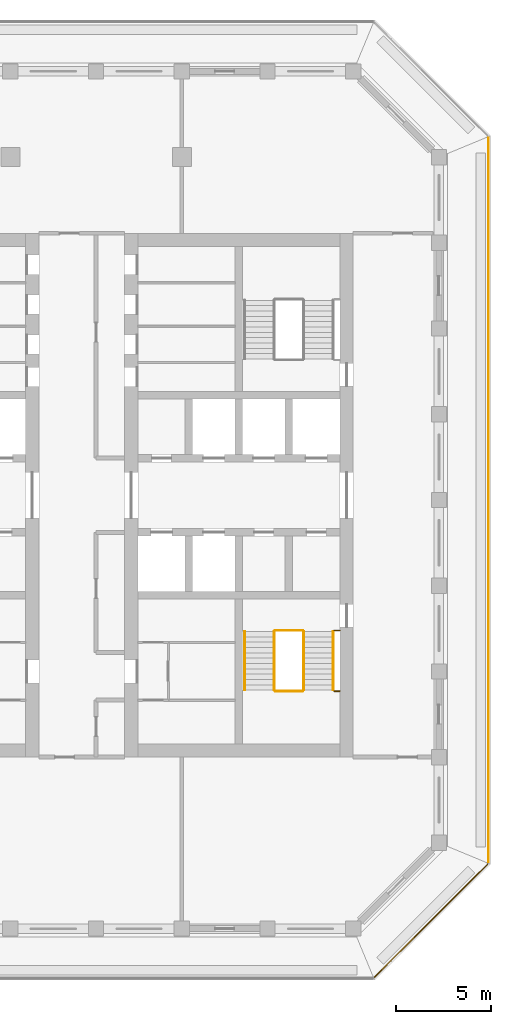
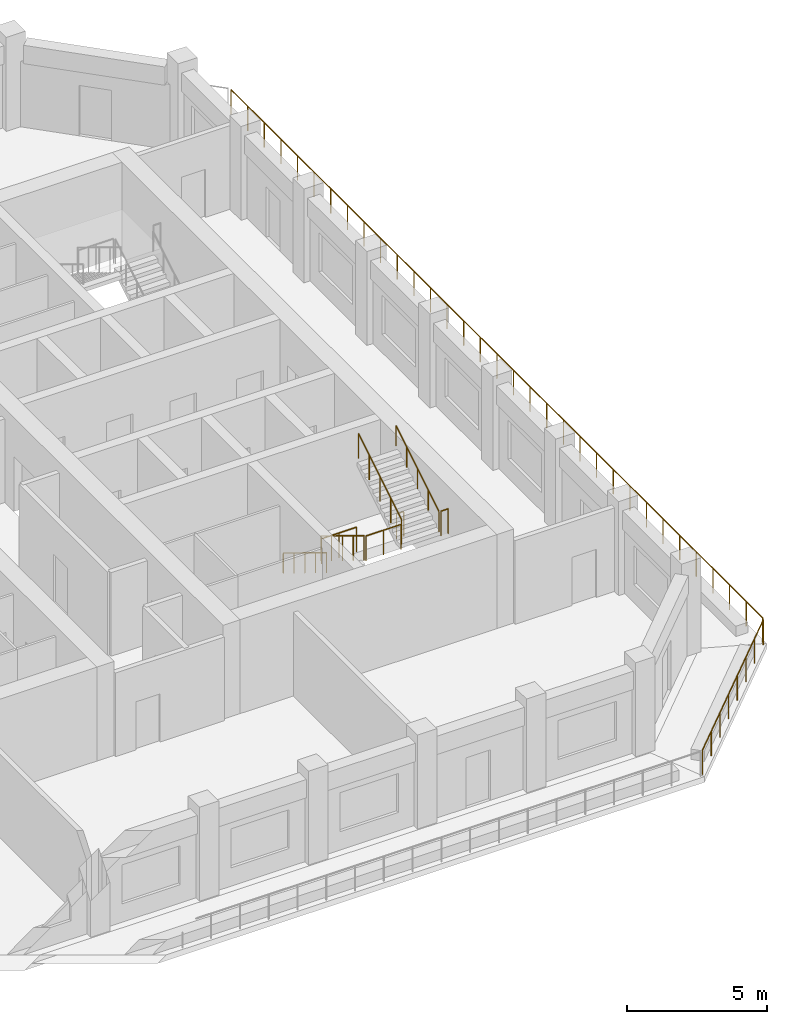
# One storey, part 10 of 14: 10 railings.
"""IFC4 building model written with IfcOpenShell, lengths in metres."""

from ifc_helpers import new_model, si_unit, direction, frame, origin, origin_2d, place, context, subcontext, project, spatial, circle, extrude, material, type_object, element, save


model = new_model("IFC4")

# Units and contexts
model_context = context("Model", 3, precision=1e-05, world=origin(), true_north=direction((0.0, 1.0)))
body_context = subcontext(model_context, "Body", "Model", "MODEL_VIEW")
ifc_project = project(units=[si_unit("LENGTHUNIT", "METRE"), si_unit("AREAUNIT", "SQUARE_METRE"), si_unit("VOLUMEUNIT", "CUBIC_METRE"), si_unit("PLANEANGLEUNIT", "RADIAN"), si_unit("MASSUNIT", "GRAM", prefix="KILO")], contexts=[model_context])

# Site, building, storey
site_placement = place(None, origin())
site = spatial("IfcSite", under=ifc_project, at=site_placement, CompositionType="ELEMENT")
building_placement = place(site_placement, origin())
building = spatial("IfcBuilding", under=site, at=building_placement, Name="Corbel Stack Research Tower", CompositionType="ELEMENT")
storey_placement = place(building_placement, frame((0.0, 0.0, 278.60009765625)))
storey = spatial("IfcBuildingStorey", under=building, at=storey_placement, Name="L63", CompositionType="ELEMENT", Elevation=278.60009765625)

# Railings
ifc_material_1 = material(Name="Steel S355", Category="steel")
railing_type_1 = type_object("IfcRailingType", Name="Stair guard 1100", PredefinedType="GUARDRAIL", material=ifc_material_1)
railing_1_placement = place(storey_placement, frame((13.85009765625, -2.39990234375, 0.170654296875)))
element("IfcRailing", 1, at=railing_1_placement, inside=storey, type_object=railing_type_1, Name="L63 ST-E1 stair guard 1", PredefinedType="GUARDRAIL", context=body_context, shape_type="SweptSolid", body=[
    extrude(circle(Radius=0.02392578125, at=origin_2d()), frame((0.0, 0.0, 1.076171875), z_axis=(0.0, -0.853666305674, 0.52082035152), x_axis=(1.0, 0.0, 0.0)), (0.0, 0.0, 1.0), 3.608154296875),
    extrude(circle(Radius=0.02099609375, at=origin_2d()), origin(), (0.0, 0.0, 1.0), 1.052001953125),
    extrude(circle(Radius=0.02099609375, at=origin_2d()), frame((0.0, -0.77001953125, 0.4697265625)), (0.0, 0.0, 1.0), 1.052001953125),
    extrude(circle(Radius=0.02099609375, at=origin_2d()), frame((0.0, -1.5400390625, 0.939453125)), (0.0, 0.0, 1.0), 1.052001953125),
    extrude(circle(Radius=0.02099609375, at=origin_2d()), frame((0.0, -2.31005859375, 1.409423828125)), (0.0, 0.0, 1.0), 1.052001953125),
    extrude(circle(Radius=0.02099609375, at=origin_2d()), frame((0.0, -3.080078125, 1.879150390625)), (0.0, 0.0, 1.0), 1.052001953125),
])
railing_2_placement = place(storey_placement, frame((13.89990234375, -5.530029296875, 2.0498046875)))
element("IfcRailing", 2, at=railing_2_placement, inside=storey, type_object=railing_type_1, Name="L63 ST-E1 stair guard 2", PredefinedType="GUARDRAIL", context=body_context, shape_type="SweptSolid", body=[
    extrude(circle(Radius=0.02392578125, at=origin_2d()), frame((0.0, 0.0, 1.076171875), z_axis=(1.0, 0.0, 0.0), x_axis=(0.0, 1.0, 0.0)), (0.0, 0.0, 1.0), 1.4501953125),
    extrude(circle(Radius=0.02099609375, at=origin_2d()), origin(), (0.0, 0.0, 1.0), 1.052001953125),
    extrude(circle(Radius=0.02099609375, at=origin_2d()), frame((0.72509765625, 0.0, 0.0)), (0.0, 0.0, 1.0), 1.052001953125),
    extrude(circle(Radius=0.02099609375, at=origin_2d()), frame((1.4501953125, 0.0, 0.0)), (0.0, 0.0, 1.0), 1.052001953125),
])
railing_3_placement = place(storey_placement, frame((17.0, -5.530029296875, 2.0498046875)))
element("IfcRailing", 3, at=railing_3_placement, inside=storey, type_object=railing_type_1, Name="L63 ST-E1 stair guard 3", PredefinedType="GUARDRAIL", context=body_context, shape_type="SweptSolid", body=[
    extrude(circle(Radius=0.02392578125, at=origin_2d()), frame((0.0, 0.0, 1.076171875), z_axis=(1.0, 0.0, 0.0), x_axis=(0.0, 1.0, 0.0)), (0.0, 0.0, 1.0), 0.300048828125),
    extrude(circle(Radius=0.02099609375, at=origin_2d()), origin(), (0.0, 0.0, 1.0), 1.052001953125),
    extrude(circle(Radius=0.02099609375, at=origin_2d()), frame((0.300048828125, 0.0, 0.0)), (0.0, 0.0, 1.0), 1.052001953125),
])
railing_4_placement = place(storey_placement, frame((15.39990234375, -5.47998046875, 2.220703125)))
element("IfcRailing", 4, at=railing_4_placement, inside=storey, type_object=railing_type_1, Name="L63 ST-E1 stair guard 4", PredefinedType="GUARDRAIL", context=body_context, shape_type="SweptSolid", body=[
    extrude(circle(Radius=0.02392578125, at=origin_2d()), frame((0.0, 0.0, 1.076171875), z_axis=(0.0, 0.853666305674, 0.52082035152), x_axis=(-1.0, 0.0, 0.0)), (0.0, 0.0, 1.0), 3.608154296875),
    extrude(circle(Radius=0.02099609375, at=origin_2d()), origin(), (0.0, 0.0, 1.0), 1.052001953125),
    extrude(circle(Radius=0.02099609375, at=origin_2d()), frame((0.0, 0.77001953125, 0.4697265625)), (0.0, 0.0, 1.0), 1.052001953125),
    extrude(circle(Radius=0.02099609375, at=origin_2d()), frame((0.0, 1.5400390625, 0.939453125)), (0.0, 0.0, 1.0), 1.052001953125),
    extrude(circle(Radius=0.02099609375, at=origin_2d()), frame((0.0, 2.31005859375, 1.409423828125)), (0.0, 0.0, 1.0), 1.052001953125),
    extrude(circle(Radius=0.02099609375, at=origin_2d()), frame((0.0, 3.080078125, 1.879150390625)), (0.0, 0.0, 1.0), 1.052001953125),
])
railing_5_placement = place(storey_placement, frame((13.89990234375, -2.35009765625, 0.0)))
element("IfcRailing", 5, at=railing_5_placement, inside=storey, type_object=railing_type_1, Name="L63 ST-E1 stair guard 5", PredefinedType="GUARDRAIL", context=body_context, shape_type="SweptSolid", body=[
    extrude(circle(Radius=0.02392578125, at=origin_2d()), frame((0.0, 0.0, 1.076171875), z_axis=(1.0, 0.0, 0.0), x_axis=(0.0, 1.0, 0.0)), (0.0, 0.0, 1.0), 1.4501953125),
    extrude(circle(Radius=0.02099609375, at=origin_2d()), origin(), (0.0, 0.0, 1.0), 1.052001953125),
    extrude(circle(Radius=0.02099609375, at=origin_2d()), frame((0.72509765625, 0.0, 0.0)), (0.0, 0.0, 1.0), 1.052001953125),
    extrude(circle(Radius=0.02099609375, at=origin_2d()), frame((1.4501953125, 0.0, 0.0)), (0.0, 0.0, 1.0), 1.052001953125),
])
railing_6_placement = place(storey_placement, frame((17.0, -2.35009765625, 0.0)))
element("IfcRailing", 6, at=railing_6_placement, inside=storey, type_object=railing_type_1, Name="L63 ST-E1 stair guard 6", PredefinedType="GUARDRAIL", context=body_context, shape_type="SweptSolid", body=[
    extrude(circle(Radius=0.02392578125, at=origin_2d()), frame((0.0, 0.0, 1.076171875), z_axis=(1.0, 0.0, 0.0), x_axis=(0.0, 1.0, 0.0)), (0.0, 0.0, 1.0), 0.300048828125),
    extrude(circle(Radius=0.02099609375, at=origin_2d()), origin(), (0.0, 0.0, 1.0), 1.052001953125),
    extrude(circle(Radius=0.02099609375, at=origin_2d()), frame((0.300048828125, 0.0, 0.0)), (0.0, 0.0, 1.0), 1.052001953125),
])
ifc_material_2 = material(Name="Steel S355", Category="steel")
railing_type_2 = type_object("IfcRailingType", Name="Stair handrail 900", PredefinedType="HANDRAIL", material=ifc_material_2)
railing_7_placement = place(storey_placement, frame((12.300048828125, -2.39990234375, 0.170654296875)))
element("IfcRailing", 7, at=railing_7_placement, inside=storey, type_object=railing_type_2, Name="L63 ST-E1 stair handrail 1", PredefinedType="HANDRAIL", context=body_context, shape_type="SweptSolid", body=[
    extrude(circle(Radius=0.02392578125, at=origin_2d()), frame((0.0, 0.0, 0.8759765625), z_axis=(0.0, -0.853666305674, 0.52082035152), x_axis=(1.0, 0.0, 0.0)), (0.0, 0.0, 1.0), 3.608154296875),
    extrude(circle(Radius=0.02099609375, at=origin_2d()), origin(), (0.0, 0.0, 1.0), 0.851806640625),
    extrude(circle(Radius=0.02099609375, at=origin_2d()), frame((0.0, -0.77001953125, 0.4697265625)), (0.0, 0.0, 1.0), 0.851806640625),
    extrude(circle(Radius=0.02099609375, at=origin_2d()), frame((0.0, -1.5400390625, 0.939453125)), (0.0, 0.0, 1.0), 0.851806640625),
    extrude(circle(Radius=0.02099609375, at=origin_2d()), frame((0.0, -2.31005859375, 1.409423828125)), (0.0, 0.0, 1.0), 0.851806640625),
    extrude(circle(Radius=0.02099609375, at=origin_2d()), frame((0.0, -3.080078125, 1.879150390625)), (0.0, 0.0, 1.0), 0.851806640625),
])
railing_8_placement = place(storey_placement, frame((16.949951171875, -5.47998046875, 2.220703125)))
element("IfcRailing", 8, at=railing_8_placement, inside=storey, type_object=railing_type_2, Name="L63 ST-E1 stair handrail 2", PredefinedType="HANDRAIL", context=body_context, shape_type="SweptSolid", body=[
    extrude(circle(Radius=0.02392578125, at=origin_2d()), frame((0.0, 0.0, 0.8759765625), z_axis=(0.0, 0.853666305674, 0.52082035152), x_axis=(-1.0, 0.0, 0.0)), (0.0, 0.0, 1.0), 3.608154296875),
    extrude(circle(Radius=0.02099609375, at=origin_2d()), origin(), (0.0, 0.0, 1.0), 0.851806640625),
    extrude(circle(Radius=0.02099609375, at=origin_2d()), frame((0.0, 0.77001953125, 0.4697265625)), (0.0, 0.0, 1.0), 0.851806640625),
    extrude(circle(Radius=0.02099609375, at=origin_2d()), frame((0.0, 1.5400390625, 0.939453125)), (0.0, 0.0, 1.0), 0.851806640625),
    extrude(circle(Radius=0.02099609375, at=origin_2d()), frame((0.0, 2.31005859375, 1.409423828125)), (0.0, 0.0, 1.0), 0.851806640625),
    extrude(circle(Radius=0.02099609375, at=origin_2d()), frame((0.0, 3.080078125, 1.879150390625)), (0.0, 0.0, 1.0), 0.851806640625),
])
ifc_material_3 = material(Name="Powder-coated steel guard", Category="steel")
railing_type_3 = type_object("IfcRailingType", Name="Steel and glass guard 1100", PredefinedType="GUARDRAIL", material=ifc_material_3)
railing_9_placement = place(storey_placement, frame((19.127685546875, -20.54931640625, 0.0)))
element("IfcRailing", 9, at=railing_9_placement, inside=storey, type_object=railing_type_3, Name="Loggia guard L63 SE", PredefinedType="GUARDRAIL", context=body_context, shape_type="SweptSolid", body=[
    extrude(circle(Radius=0.02392578125, at=origin_2d()), frame((0.0, 0.0, 1.076171875), z_axis=(0.707106781187, 0.707106781187, 0.0), x_axis=(-0.707106781187, 0.707106781187, 0.0)), (0.0, 0.0, 1.0), 8.37451171875),
    extrude(circle(Radius=0.02099609375, at=origin_2d()), origin(), (0.0, 0.0, 1.0), 1.052001953125),
    extrude(circle(Radius=0.02099609375, at=origin_2d()), frame((0.845947265625, 0.845947265625, 0.0)), (0.0, 0.0, 1.0), 1.052001953125),
    extrude(circle(Radius=0.02099609375, at=origin_2d()), frame((1.69189453125, 1.69189453125, 0.0)), (0.0, 0.0, 1.0), 1.052001953125),
    extrude(circle(Radius=0.02099609375, at=origin_2d()), frame((2.537841796875, 2.537841796875, 0.0)), (0.0, 0.0, 1.0), 1.052001953125),
    extrude(circle(Radius=0.02099609375, at=origin_2d()), frame((3.3837890625, 3.3837890625, 0.0)), (0.0, 0.0, 1.0), 1.052001953125),
    extrude(circle(Radius=0.02099609375, at=origin_2d()), frame((4.229736328125, 4.229736328125, 0.0)), (0.0, 0.0, 1.0), 1.052001953125),
    extrude(circle(Radius=0.02099609375, at=origin_2d()), frame((5.07568359375, 5.07568359375, 0.0)), (0.0, 0.0, 1.0), 1.052001953125),
    extrude(circle(Radius=0.02099609375, at=origin_2d()), frame((5.921630859375, 5.921630859375, 0.0)), (0.0, 0.0, 1.0), 1.052001953125),
])
railing_10_placement = place(storey_placement, frame((25.10009765625, -14.50537109375, 0.0)))
element("IfcRailing", 10, at=railing_10_placement, inside=storey, type_object=railing_type_3, Name="Loggia guard L63 E", PredefinedType="GUARDRAIL", context=body_context, shape_type="SweptSolid", body=[
    extrude(circle(Radius=0.02392578125, at=origin_2d()), frame((0.0, 0.0, 1.076171875), z_axis=(0.0, 1.0, 0.0), x_axis=(-1.0, 0.0, 0.0)), (0.0, 0.0, 1.0), 38.0107421875),
    extrude(circle(Radius=0.02099609375, at=origin_2d()), origin(), (0.0, 0.0, 1.0), 1.052001953125),
    extrude(circle(Radius=0.02099609375, at=origin_2d()), frame((0.0, 1.187744140625, 0.0)), (0.0, 0.0, 1.0), 1.052001953125),
    extrude(circle(Radius=0.02099609375, at=origin_2d()), frame((0.0, 2.375732421875, 0.0)), (0.0, 0.0, 1.0), 1.052001953125),
    extrude(circle(Radius=0.02099609375, at=origin_2d()), frame((0.0, 3.5634765625, 0.0)), (0.0, 0.0, 1.0), 1.052001953125),
    extrude(circle(Radius=0.02099609375, at=origin_2d()), frame((0.0, 4.75146484375, 0.0)), (0.0, 0.0, 1.0), 1.052001953125),
    extrude(circle(Radius=0.02099609375, at=origin_2d()), frame((0.0, 5.939208984375, 0.0)), (0.0, 0.0, 1.0), 1.052001953125),
    extrude(circle(Radius=0.02099609375, at=origin_2d()), frame((0.0, 7.126953125, 0.0)), (0.0, 0.0, 1.0), 1.052001953125),
    extrude(circle(Radius=0.02099609375, at=origin_2d()), frame((0.0, 8.31494140625, 0.0)), (0.0, 0.0, 1.0), 1.052001953125),
    extrude(circle(Radius=0.02099609375, at=origin_2d()), frame((0.0, 9.502685546875, 0.0)), (0.0, 0.0, 1.0), 1.052001953125),
    extrude(circle(Radius=0.02099609375, at=origin_2d()), frame((0.0, 10.6904296875, 0.0)), (0.0, 0.0, 1.0), 1.052001953125),
    extrude(circle(Radius=0.02099609375, at=origin_2d()), frame((0.0, 11.87841796875, 0.0)), (0.0, 0.0, 1.0), 1.052001953125),
    extrude(circle(Radius=0.02099609375, at=origin_2d()), frame((0.0, 13.066162109375, 0.0)), (0.0, 0.0, 1.0), 1.052001953125),
    extrude(circle(Radius=0.02099609375, at=origin_2d()), frame((0.0, 14.25390625, 0.0)), (0.0, 0.0, 1.0), 1.052001953125),
    extrude(circle(Radius=0.02099609375, at=origin_2d()), frame((0.0, 15.44189453125, 0.0)), (0.0, 0.0, 1.0), 1.052001953125),
    extrude(circle(Radius=0.02099609375, at=origin_2d()), frame((0.0, 16.629638671875, 0.0)), (0.0, 0.0, 1.0), 1.052001953125),
    extrude(circle(Radius=0.02099609375, at=origin_2d()), frame((0.0, 17.817626953125, 0.0)), (0.0, 0.0, 1.0), 1.052001953125),
    extrude(circle(Radius=0.02099609375, at=origin_2d()), frame((0.0, 19.00537109375, 0.0)), (0.0, 0.0, 1.0), 1.052001953125),
    extrude(circle(Radius=0.02099609375, at=origin_2d()), frame((0.0, 20.193115234375, 0.0)), (0.0, 0.0, 1.0), 1.052001953125),
    extrude(circle(Radius=0.02099609375, at=origin_2d()), frame((0.0, 21.381103515625, 0.0)), (0.0, 0.0, 1.0), 1.052001953125),
    extrude(circle(Radius=0.02099609375, at=origin_2d()), frame((0.0, 22.56884765625, 0.0)), (0.0, 0.0, 1.0), 1.052001953125),
    extrude(circle(Radius=0.02099609375, at=origin_2d()), frame((0.0, 23.7568359375, 0.0)), (0.0, 0.0, 1.0), 1.052001953125),
    extrude(circle(Radius=0.02099609375, at=origin_2d()), frame((0.0, 24.944580078125, 0.0)), (0.0, 0.0, 1.0), 1.052001953125),
    extrude(circle(Radius=0.02099609375, at=origin_2d()), frame((0.0, 26.13232421875, 0.0)), (0.0, 0.0, 1.0), 1.052001953125),
    extrude(circle(Radius=0.02099609375, at=origin_2d()), frame((0.0, 27.3203125, 0.0)), (0.0, 0.0, 1.0), 1.052001953125),
    extrude(circle(Radius=0.02099609375, at=origin_2d()), frame((0.0, 28.508056640625, 0.0)), (0.0, 0.0, 1.0), 1.052001953125),
    extrude(circle(Radius=0.02099609375, at=origin_2d()), frame((0.0, 29.69580078125, 0.0)), (0.0, 0.0, 1.0), 1.052001953125),
    extrude(circle(Radius=0.02099609375, at=origin_2d()), frame((0.0, 30.8837890625, 0.0)), (0.0, 0.0, 1.0), 1.052001953125),
    extrude(circle(Radius=0.02099609375, at=origin_2d()), frame((0.0, 32.071533203125, 0.0)), (0.0, 0.0, 1.0), 1.052001953125),
    extrude(circle(Radius=0.02099609375, at=origin_2d()), frame((0.0, 33.25927734375, 0.0)), (0.0, 0.0, 1.0), 1.052001953125),
    extrude(circle(Radius=0.02099609375, at=origin_2d()), frame((0.0, 34.447265625, 0.0)), (0.0, 0.0, 1.0), 1.052001953125),
    extrude(circle(Radius=0.02099609375, at=origin_2d()), frame((0.0, 35.635009765625, 0.0)), (0.0, 0.0, 1.0), 1.052001953125),
    extrude(circle(Radius=0.02099609375, at=origin_2d()), frame((0.0, 36.822998046875, 0.0)), (0.0, 0.0, 1.0), 1.052001953125),
    extrude(circle(Radius=0.02099609375, at=origin_2d()), frame((0.0, 38.0107421875, 0.0)), (0.0, 0.0, 1.0), 1.052001953125),
])

save(model, "model.ifc")
